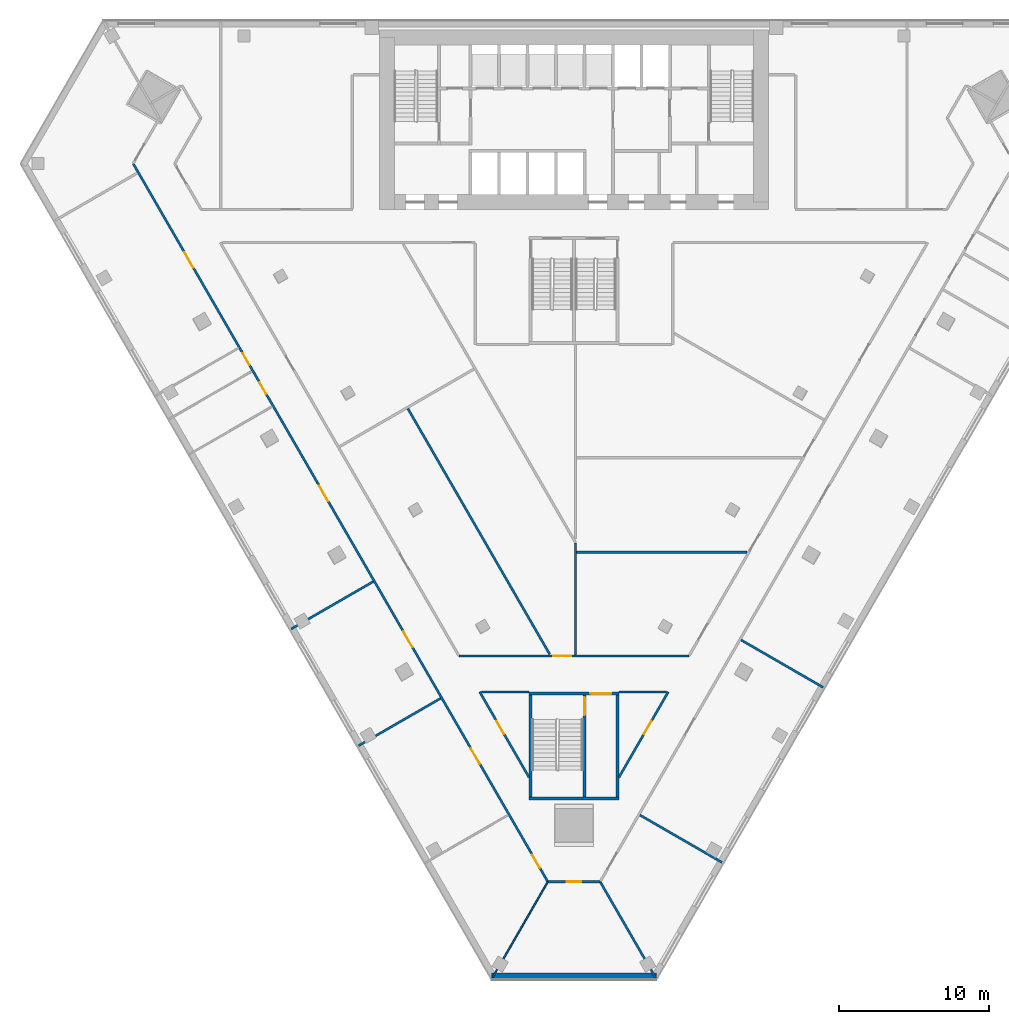
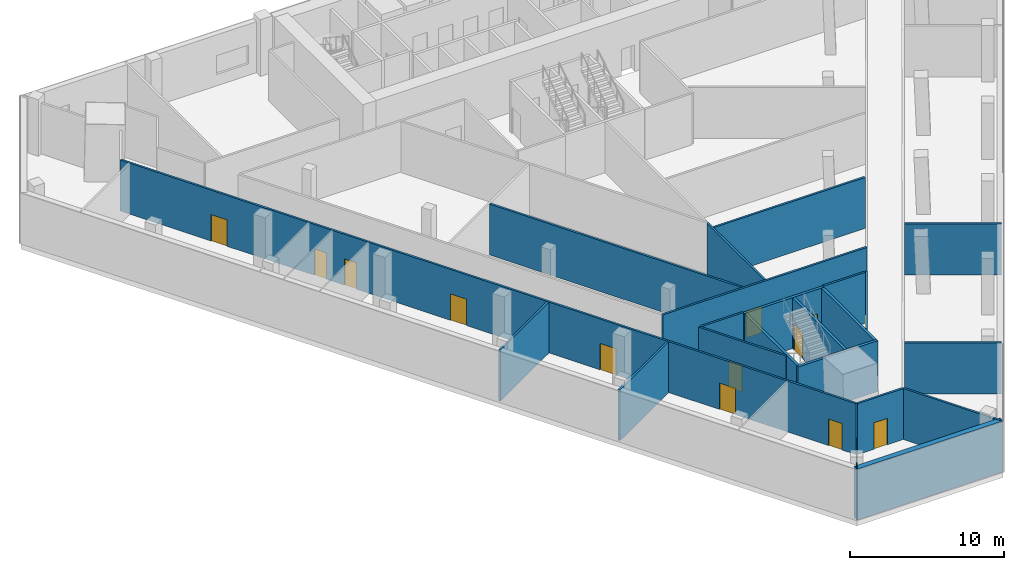
# One storey, part 2 of 9: 22 walls, 13 doors, 13 openings.
"""IFC4 building model written with IfcOpenShell, lengths in metres."""

from ifc_helpers import new_model, si_unit, direction, frame, frame_2d, origin, place, context, subcontext, project, spatial, rectangle, extrude, material, layer, layer_set, type_object, element, fill, save


model = new_model("IFC4")

# Units and contexts
model_context = context("Model", 3, precision=1e-05, world=origin(), true_north=direction((0.0, 1.0)))
body_context = subcontext(model_context, "Body", "Model", "MODEL_VIEW")
ifc_project = project(units=[si_unit("LENGTHUNIT", "METRE"), si_unit("AREAUNIT", "SQUARE_METRE"), si_unit("VOLUMEUNIT", "CUBIC_METRE"), si_unit("PLANEANGLEUNIT", "RADIAN"), si_unit("MASSUNIT", "GRAM", prefix="KILO")], contexts=[model_context])

# Site, building, storey
site_placement = place(None, origin())
site = spatial("IfcSite", under=ifc_project, at=site_placement, CompositionType="ELEMENT")
building_placement = place(site_placement, origin())
building = spatial("IfcBuilding", under=site, at=building_placement, Name="Altiplano Prism Tower", CompositionType="ELEMENT")
storey_placement = place(building_placement, frame((0.0, 0.0, 13.5)))
storey = spatial("IfcBuildingStorey", under=building, at=storey_placement, Name="L02", CompositionType="ELEMENT", Elevation=13.5)

# Wall
ifc_material_1 = material(Name="Plasterboard on steel stud", Category="steel")
ifc_layer_1 = layer(ifc_material_1, 0.10009765625)
ifc_layer_set_1 = layer_set([ifc_layer_1], Name="Plasterboard on steel stud")
wall_type_1 = type_object("IfcWallType", Name="Partition 100 wet", PredefinedType="PARTITIONING", material=ifc_layer_set_1)
wall_1_placement = place(storey_placement, frame((79.557861328125, 41.126220703125, 0.0), z_axis=(0.0, 0.0, 1.0), x_axis=(0.499969342782, 0.866043103014, 0.0)))
element("IfcWall", 1, at=wall_1_placement, inside=storey, type_object=wall_type_1, Name="Partition P03 L02 043", PredefinedType="PARTITIONING", context=body_context, shape_type="SweptSolid", body=[
    extrude(rectangle(XDim=7.39013671875, YDim=0.10009765625, at=frame_2d((3.695068359375, 0.0))), origin(), (0.0, 0.0, 1.0), 4.050048828125),
])

# Wall, openings, doors
ifc_layer_2 = layer(ifc_material_1, 0.14990234375)
ifc_layer_set_2 = layer_set([ifc_layer_2], Name="Plasterboard on steel stud")
wall_type_2 = type_object("IfcWallType", Name="Partition 150 corridor", PredefinedType="PARTITIONING", material=ifc_layer_set_2)
wall_2_placement = place(storey_placement, frame((55.5703125, 95.4736328125, 0.0), z_axis=(0.0, 0.0, 1.0), x_axis=(0.500000085768, -0.866025354266, 0.0)))
wall_2 = element("IfcWall", 2, at=wall_2_placement, inside=storey, type_object=wall_type_2, Name="Partition P06 L02 003", PredefinedType="PARTITIONING", context=body_context, shape_type="SweptSolid", body=[
    extrude(rectangle(XDim=55.36474609375, YDim=0.14990234375, at=frame_2d((27.682373046875, 0.0))), origin(), (0.0, 0.0, 1.0), 4.050048828125),
])
opening_1_placement = place(wall_2_placement, frame((6.83203125, 0.0, 0.0)))
opening_1 = element("IfcOpeningElement", 3, at=opening_1_placement, cuts=wall_2, Name="Opening D0052", PredefinedType="OPENING", context=body_context, shape_type="SweptSolid", body=[
    extrude(rectangle(XDim=1.199951171875, YDim=2.10009765625, at=frame_2d((0.60009765625, 1.050048828125))), frame((0.0, 0.08544921875, 0.0), z_axis=(0.0, -1.0, 0.0), x_axis=(1.0, 0.0, 0.0)), (0.0, 0.0, 1.0), 0.1708984375),
])
opening_2_placement = place(wall_2_placement, frame((14.6259765625, 0.0, 0.0)))
opening_2 = element("IfcOpeningElement", 4, at=opening_2_placement, cuts=wall_2, Name="Opening D0053", PredefinedType="OPENING", context=body_context, shape_type="SweptSolid", body=[
    extrude(rectangle(XDim=0.89990234375, YDim=2.10009765625, at=frame_2d((0.449951171875, 1.050048828125))), frame((0.0, 0.08544921875, 0.0), z_axis=(0.0, -1.0, 0.0), x_axis=(1.0, 0.0, 0.0)), (0.0, 0.0, 1.0), 0.1708984375),
])
opening_3_placement = place(wall_2_placement, frame((16.8759765625, 0.0, 0.0)))
opening_3 = element("IfcOpeningElement", 5, at=opening_3_placement, cuts=wall_2, Name="Opening D0054", PredefinedType="OPENING", context=body_context, shape_type="SweptSolid", body=[
    extrude(rectangle(XDim=0.89990234375, YDim=2.10009765625, at=frame_2d((0.449951171875, 1.050048828125))), frame((0.0, 0.08544921875, 0.0), z_axis=(0.0, -1.0, 0.0), x_axis=(1.0, 0.0, 0.0)), (0.0, 0.0, 1.0), 0.1708984375),
])
opening_4_placement = place(wall_2_placement, frame((24.83203125, 0.0, 0.0)))
opening_4 = element("IfcOpeningElement", 6, at=opening_4_placement, cuts=wall_2, Name="Opening D0055", PredefinedType="OPENING", context=body_context, shape_type="SweptSolid", body=[
    extrude(rectangle(XDim=1.199951171875, YDim=2.10009765625, at=frame_2d((0.60009765625, 1.050048828125))), frame((0.0, 0.08544921875, 0.0), z_axis=(0.0, -1.0, 0.0), x_axis=(1.0, 0.0, 0.0)), (0.0, 0.0, 1.0), 0.1708984375),
])
opening_5_placement = place(wall_2_placement, frame((36.08203125, 0.0, 0.0)))
opening_5 = element("IfcOpeningElement", 7, at=opening_5_placement, cuts=wall_2, Name="Opening D0056", PredefinedType="OPENING", context=body_context, shape_type="SweptSolid", body=[
    extrude(rectangle(XDim=1.199951171875, YDim=2.10009765625, at=frame_2d((0.60009765625, 1.050048828125))), frame((0.0, 0.08544921875, 0.0), z_axis=(0.0, -1.0, 0.0), x_axis=(1.0, 0.0, 0.0)), (0.0, 0.0, 1.0), 0.1708984375),
])
opening_6_placement = place(wall_2_placement, frame((45.08203125, 0.0, 0.0)))
opening_6 = element("IfcOpeningElement", 8, at=opening_6_placement, cuts=wall_2, Name="Opening D0057", PredefinedType="OPENING", context=body_context, shape_type="SweptSolid", body=[
    extrude(rectangle(XDim=1.199951171875, YDim=2.10009765625, at=frame_2d((0.60009765625, 1.050048828125))), frame((0.0, 0.08544921875, 0.0), z_axis=(0.0, -1.0, 0.0), x_axis=(1.0, 0.0, 0.0)), (0.0, 0.0, 1.0), 0.1708984375),
])
opening_7_placement = place(wall_2_placement, frame((53.294921875, 0.0, 0.0)))
opening_7 = element("IfcOpeningElement", 9, at=opening_7_placement, cuts=wall_2, Name="Opening D0058", PredefinedType="OPENING", context=body_context, shape_type="SweptSolid", body=[
    extrude(rectangle(XDim=1.0, YDim=2.10009765625, at=frame_2d((0.5, 1.050048828125))), frame((0.0, 0.08544921875, 0.0), z_axis=(0.0, -1.0, 0.0), x_axis=(1.0, 0.0, 0.0)), (0.0, 0.0, 1.0), 0.1708984375),
])
ifc_material_2 = material(Name="Timber", Category="wood")
door_type_1 = type_object("IfcDoorType", Name="Room door 1000 x 2100", OperationType="NOTDEFINED", PredefinedType="NOTDEFINED", material=ifc_material_2)
door_1_placement = place(opening_7_placement, origin())
door_1 = element("IfcDoor", 10, at=door_1_placement, inside=storey, type_object=door_type_1, Name="Door D0058", OperationType="SINGLE_SWING_RIGHT", OverallHeight=2.10009765625, OverallWidth=1.0, PredefinedType="NOTDEFINED", context=body_context, shape_type="SweptSolid", body=[
    extrude(rectangle(XDim=1.0, YDim=2.10009765625, at=frame_2d((0.5, 1.050048828125))), frame((0.0, 0.02490234375, 0.0), z_axis=(0.0, -1.0, 0.0), x_axis=(1.0, 0.0, 0.0)), (0.0, 0.0, 1.0), 0.050048828125),
])
fill(opening_7, door_1)
door_type_2 = type_object("IfcDoorType", Name="Shared room door 1200 x 2100", OperationType="NOTDEFINED", PredefinedType="NOTDEFINED", material=ifc_material_2)
door_2_placement = place(opening_1_placement, origin())
door_2 = element("IfcDoor", 11, at=door_2_placement, inside=storey, type_object=door_type_2, Name="Door D0052", OperationType="SINGLE_SWING_RIGHT", OverallHeight=2.10009765625, OverallWidth=1.199951171875, PredefinedType="NOTDEFINED", context=body_context, shape_type="SweptSolid", body=[
    extrude(rectangle(XDim=1.199951171875, YDim=2.10009765625, at=frame_2d((0.60009765625, 1.050048828125))), frame((0.0, 0.02490234375, 0.0), z_axis=(0.0, -1.0, 0.0), x_axis=(1.0, 0.0, 0.0)), (0.0, 0.0, 1.0), 0.050048828125),
])
fill(opening_1, door_2)
door_3_placement = place(opening_4_placement, origin())
door_3 = element("IfcDoor", 12, at=door_3_placement, inside=storey, type_object=door_type_2, Name="Door D0055", OperationType="SINGLE_SWING_LEFT", OverallHeight=2.10009765625, OverallWidth=1.199951171875, PredefinedType="NOTDEFINED", context=body_context, shape_type="SweptSolid", body=[
    extrude(rectangle(XDim=1.199951171875, YDim=2.10009765625, at=frame_2d((0.60009765625, 1.050048828125))), frame((0.0, 0.02490234375, 0.0), z_axis=(0.0, -1.0, 0.0), x_axis=(1.0, 0.0, 0.0)), (0.0, 0.0, 1.0), 0.050048828125),
])
fill(opening_4, door_3)
door_4_placement = place(opening_5_placement, origin())
door_4 = element("IfcDoor", 13, at=door_4_placement, inside=storey, type_object=door_type_2, Name="Door D0056", OperationType="SINGLE_SWING_RIGHT", OverallHeight=2.10009765625, OverallWidth=1.199951171875, PredefinedType="NOTDEFINED", context=body_context, shape_type="SweptSolid", body=[
    extrude(rectangle(XDim=1.199951171875, YDim=2.10009765625, at=frame_2d((0.60009765625, 1.050048828125))), frame((0.0, 0.02490234375, 0.0), z_axis=(0.0, -1.0, 0.0), x_axis=(1.0, 0.0, 0.0)), (0.0, 0.0, 1.0), 0.050048828125),
])
fill(opening_5, door_4)
door_5_placement = place(opening_6_placement, origin())
door_5 = element("IfcDoor", 14, at=door_5_placement, inside=storey, type_object=door_type_2, Name="Door D0057", OperationType="SINGLE_SWING_RIGHT", OverallHeight=2.10009765625, OverallWidth=1.199951171875, PredefinedType="NOTDEFINED", context=body_context, shape_type="SweptSolid", body=[
    extrude(rectangle(XDim=1.199951171875, YDim=2.10009765625, at=frame_2d((0.60009765625, 1.050048828125))), frame((0.0, 0.02490234375, 0.0), z_axis=(0.0, -1.0, 0.0), x_axis=(1.0, 0.0, 0.0)), (0.0, 0.0, 1.0), 0.050048828125),
])
fill(opening_6, door_5)
door_type_3 = type_object("IfcDoorType", Name="Toilet door 900 x 2100", OperationType="NOTDEFINED", PredefinedType="NOTDEFINED", material=ifc_material_2)
door_6_placement = place(opening_2_placement, origin())
door_6 = element("IfcDoor", 15, at=door_6_placement, inside=storey, type_object=door_type_3, Name="Door D0053", OperationType="SINGLE_SWING_RIGHT", OverallHeight=2.10009765625, OverallWidth=0.89990234375, PredefinedType="NOTDEFINED", context=body_context, shape_type="SweptSolid", body=[
    extrude(rectangle(XDim=0.89990234375, YDim=2.10009765625, at=frame_2d((0.449951171875, 1.050048828125))), frame((0.0, 0.02490234375, 0.0), z_axis=(0.0, -1.0, 0.0), x_axis=(1.0, 0.0, 0.0)), (0.0, 0.0, 1.0), 0.050048828125),
])
fill(opening_2, door_6)
door_7_placement = place(opening_3_placement, origin())
door_7 = element("IfcDoor", 16, at=door_7_placement, inside=storey, type_object=door_type_3, Name="Door D0054", OperationType="SINGLE_SWING_LEFT", OverallHeight=2.10009765625, OverallWidth=0.89990234375, PredefinedType="NOTDEFINED", context=body_context, shape_type="SweptSolid", body=[
    extrude(rectangle(XDim=0.89990234375, YDim=2.10009765625, at=frame_2d((0.449951171875, 1.050048828125))), frame((0.0, 0.02490234375, 0.0), z_axis=(0.0, -1.0, 0.0), x_axis=(1.0, 0.0, 0.0)), (0.0, 0.0, 1.0), 0.050048828125),
])
fill(opening_3, door_7)

# Wall, opening, door
wall_3_placement = place(storey_placement, frame((83.252685546875, 47.5263671875, 0.0), z_axis=(0.0, 0.0, 1.0), x_axis=(1.0, 0.0, 0.0)))
wall_3 = element("IfcWall", 17, at=wall_3_placement, inside=storey, type_object=wall_type_2, Name="Partition P06 L02 004", PredefinedType="PARTITIONING", context=body_context, shape_type="SweptSolid", body=[
    extrude(rectangle(XDim=3.49462890625, YDim=0.14990234375, at=frame_2d((1.747314453125, 0.0))), origin(), (0.0, 0.0, 1.0), 4.050048828125),
])
opening_8_placement = place(wall_3_placement, frame((1.2470703125, 0.0, 0.0)))
opening_8 = element("IfcOpeningElement", 18, at=opening_8_placement, cuts=wall_3, Name="Opening D0059", PredefinedType="OPENING", context=body_context, shape_type="SweptSolid", body=[
    extrude(rectangle(XDim=1.0, YDim=2.10009765625, at=frame_2d((0.5, 1.050048828125))), frame((0.0, 0.08544921875, 0.0), z_axis=(0.0, -1.0, 0.0), x_axis=(1.0, 0.0, 0.0)), (0.0, 0.0, 1.0), 0.1708984375),
])
door_type_4 = type_object("IfcDoorType", Name="Store door 1000 x 2100", OperationType="NOTDEFINED", PredefinedType="NOTDEFINED", material=ifc_material_2)
door_8_placement = place(opening_8_placement, origin())
door_8 = element("IfcDoor", 19, at=door_8_placement, inside=storey, type_object=door_type_4, Name="Door D0059", OperationType="SINGLE_SWING_RIGHT", OverallHeight=2.10009765625, OverallWidth=1.0, PredefinedType="NOTDEFINED", context=body_context, shape_type="SweptSolid", body=[
    extrude(rectangle(XDim=1.0, YDim=2.10009765625, at=frame_2d((0.5, 1.050048828125))), frame((0.0, 0.02490234375, 0.0), z_axis=(0.0, -1.0, 0.0), x_axis=(1.0, 0.0, 0.0)), (0.0, 0.0, 1.0), 0.050048828125),
])
fill(opening_8, door_8)

wall_4_placement = place(storey_placement, frame((92.6787109375, 62.60009765625, 0.0), z_axis=(0.0, 0.0, 1.0), x_axis=(-1.0, 0.0, 0.0)))
wall_4 = element("IfcWall", 20, at=wall_4_placement, inside=storey, type_object=wall_type_2, Name="Partition P06 L02 019", PredefinedType="PARTITIONING", context=body_context, shape_type="SweptSolid", body=[
    extrude(rectangle(XDim=15.357421875, YDim=0.14990234375, at=frame_2d((7.6787109375, 0.0))), origin(), (0.0, 0.0, 1.0), 4.050048828125),
])
opening_9_placement = place(wall_4_placement, frame((7.865966796875, 0.0, 0.0)))
opening_9 = element("IfcOpeningElement", 21, at=opening_9_placement, cuts=wall_4, Name="Opening D0074", PredefinedType="OPENING", context=body_context, shape_type="SweptSolid", body=[
    extrude(rectangle(XDim=1.199951171875, YDim=2.10009765625, at=frame_2d((0.60009765625, 1.050048828125))), frame((0.0, 0.08544921875, 0.0), z_axis=(0.0, -1.0, 0.0), x_axis=(1.0, 0.0, 0.0)), (0.0, 0.0, 1.0), 0.1708984375),
])
door_9_placement = place(opening_9_placement, origin())
door_9 = element("IfcDoor", 22, at=door_9_placement, inside=storey, type_object=door_type_2, Name="Door D0074", OperationType="SINGLE_SWING_RIGHT", OverallHeight=2.10009765625, OverallWidth=1.199951171875, PredefinedType="NOTDEFINED", context=body_context, shape_type="SweptSolid", body=[
    extrude(rectangle(XDim=1.199951171875, YDim=2.10009765625, at=frame_2d((0.60009765625, 1.050048828125))), frame((0.0, 0.02490234375, 0.0), z_axis=(0.0, -1.0, 0.0), x_axis=(1.0, 0.0, 0.0)), (0.0, 0.0, 1.0), 0.050048828125),
])
fill(opening_9, door_9)

# Wall
wall_5_placement = place(storey_placement, frame((88.0, 60.198974609375, 0.0), z_axis=(0.0, 0.0, 1.0), x_axis=(0.999999952341, 0.00030873725, 0.0)))
element("IfcWall", 23, at=wall_5_placement, inside=storey, type_object=wall_type_2, Name="Partition P06 L02 031", PredefinedType="PARTITIONING", context=body_context, shape_type="SweptSolid", body=[
    extrude(rectangle(XDim=3.1630859375, YDim=0.14990234375, at=frame_2d((1.58154296875, 0.0))), origin(), (0.0, 0.0, 1.0), 4.050048828125),
])

# Wall, opening, door
wall_6_placement = place(storey_placement, frame((91.293212890625, 60.199951171875, 0.0), z_axis=(0.0, 0.0, 1.0), x_axis=(-0.500010165703, -0.866019534533, 0.0)))
wall_6 = element("IfcWall", 24, at=wall_6_placement, inside=storey, type_object=wall_type_2, Name="Partition P06 L02 032", PredefinedType="PARTITIONING", context=body_context, shape_type="SweptSolid", body=[
    extrude(rectangle(XDim=6.586181640625, YDim=0.14990234375, at=frame_2d((3.29296875, 0.0))), origin(), (0.0, 0.0, 1.0), 4.050048828125),
])
opening_10_placement = place(wall_6_placement, frame((2.2451171875, 0.0, 0.0)))
opening_10 = element("IfcOpeningElement", 25, at=opening_10_placement, cuts=wall_6, Name="Opening D0080", PredefinedType="OPENING", context=body_context, shape_type="SweptSolid", body=[
    extrude(rectangle(XDim=1.0, YDim=2.10009765625, at=frame_2d((0.5, 1.050048828125))), frame((0.0, 0.08544921875, 0.0), z_axis=(0.0, -1.0, 0.0), x_axis=(1.0, 0.0, 0.0)), (0.0, 0.0, 1.0), 0.1708984375),
])
door_10_placement = place(opening_10_placement, origin())
door_10 = element("IfcDoor", 26, at=door_10_placement, inside=storey, type_object=door_type_4, Name="Door D0080", OperationType="SINGLE_SWING_LEFT", OverallHeight=2.10009765625, OverallWidth=1.0, PredefinedType="NOTDEFINED", context=body_context, shape_type="SweptSolid", body=[
    extrude(rectangle(XDim=1.0, YDim=2.10009765625, at=frame_2d((0.5, 1.050048828125))), frame((0.0, 0.02490234375, 0.0), z_axis=(0.0, -1.0, 0.0), x_axis=(1.0, 0.0, 0.0)), (0.0, 0.0, 1.0), 0.050048828125),
])
fill(opening_10, door_10)

wall_7_placement = place(storey_placement, frame((82.0, 54.49609375, 0.0), z_axis=(0.0, 0.0, 1.0), x_axis=(-0.500010165703, 0.866019534533, 0.0)))
wall_7 = element("IfcWall", 27, at=wall_7_placement, inside=storey, type_object=wall_type_2, Name="Partition P06 L02 033", PredefinedType="PARTITIONING", context=body_context, shape_type="SweptSolid", body=[
    extrude(rectangle(XDim=6.586181640625, YDim=0.14990234375, at=frame_2d((3.29296875, 0.0))), origin(), (0.0, 0.0, 1.0), 4.050048828125),
])
opening_11_placement = place(wall_7_placement, frame((3.342041015625, 0.0, 0.0)))
opening_11 = element("IfcOpeningElement", 28, at=opening_11_placement, cuts=wall_7, Name="Opening D0081", PredefinedType="OPENING", context=body_context, shape_type="SweptSolid", body=[
    extrude(rectangle(XDim=1.0, YDim=2.10009765625, at=frame_2d((0.5, 1.050048828125))), frame((0.0, 0.08544921875, 0.0), z_axis=(0.0, -1.0, 0.0), x_axis=(1.0, 0.0, 0.0)), (0.0, 0.0, 1.0), 0.1708984375),
])
door_11_placement = place(opening_11_placement, origin())
door_11 = element("IfcDoor", 29, at=door_11_placement, inside=storey, type_object=door_type_1, Name="Door D0081", OperationType="SINGLE_SWING_LEFT", OverallHeight=2.10009765625, OverallWidth=1.0, PredefinedType="NOTDEFINED", context=body_context, shape_type="SweptSolid", body=[
    extrude(rectangle(XDim=1.0, YDim=2.10009765625, at=frame_2d((0.5, 1.050048828125))), frame((0.0, 0.02490234375, 0.0), z_axis=(0.0, -1.0, 0.0), x_axis=(1.0, 0.0, 0.0)), (0.0, 0.0, 1.0), 0.050048828125),
])
fill(opening_11, door_11)

# Walls
wall_8_placement = place(storey_placement, frame((78.8369140625, 60.199951171875, 0.0), z_axis=(0.0, 0.0, 1.0), x_axis=(0.999999952341, -0.00030873725, 0.0)))
element("IfcWall", 30, at=wall_8_placement, inside=storey, type_object=wall_type_2, Name="Partition P06 L02 034", PredefinedType="PARTITIONING", context=body_context, shape_type="SweptSolid", body=[
    extrude(rectangle(XDim=3.1630859375, YDim=0.14990234375, at=frame_2d((1.58154296875, 0.0))), origin(), (0.0, 0.0, 1.0), 4.050048828125),
])
ifc_layer_3 = layer(ifc_material_1, 0.14990234375)
ifc_layer_set_3 = layer_set([ifc_layer_3], Name="Plasterboard on steel stud")
wall_type_3 = type_object("IfcWallType", Name="Partition 150 party", PredefinedType="PARTITIONING", material=ifc_layer_set_3)
for number, where, z_axis, x_axis, name in (
    (31, (66.118896484375, 64.40283203125, 0.0), (0.0, 0.0, 1.0), (0.866025537322, 0.499999768706, 0.0), "Partition P01 L02 040"),
    (32, (70.618896484375, 56.608642578125, 0.0), (0.0, 0.0, 1.0), (0.866025537322, 0.499999768706, 0.0), "Partition P01 L02 041"),
):
    element("IfcWall", number, at=place(storey_placement, frame(where, z_axis=z_axis, x_axis=x_axis)), inside=storey, type_object=wall_type_3, Name=name, PredefinedType="PARTITIONING", context=body_context, shape_type="SweptSolid", body=[
        extrude(rectangle(XDim=6.3251953125, YDim=0.14990234375, at=frame_2d((3.16259765625, 0.0))), origin(), (0.0, 0.0, 1.0), 4.050048828125),
    ])
wall_9_placement = place(storey_placement, frame((90.4423828125, 41.126220703125, 0.0), z_axis=(0.0, 0.0, 1.0), x_axis=(-0.499994120305, 0.866028798401, 0.0)))
element("IfcWall", 33, at=wall_9_placement, inside=storey, type_object=wall_type_3, Name="Partition P01 L02 044", PredefinedType="PARTITIONING", context=body_context, shape_type="SweptSolid", body=[
    extrude(rectangle(XDim=7.39013671875, YDim=0.14990234375, at=frame_2d((3.695068359375, 0.0))), origin(), (0.0, 0.0, 1.0), 4.050048828125),
])
for number, where, z_axis, x_axis, name in (
    (34, (94.881103515625, 48.814453125, 0.0), (0.0, 0.0, 1.0), (-0.866042250622, 0.499970819286, 0.0), "Partition P01 L02 045"),
    (35, (101.631103515625, 60.505859375, 0.0), (0.0, 0.0, 1.0), (-0.866042250622, 0.499970819286, 0.0), "Partition P01 L02 046"),
):
    element("IfcWall", number, at=place(storey_placement, frame(where, z_axis=z_axis, x_axis=x_axis)), inside=storey, type_object=wall_type_3, Name=name, PredefinedType="PARTITIONING", context=body_context, shape_type="SweptSolid", body=[
        extrude(rectangle(XDim=6.3251953125, YDim=0.14990234375, at=frame_2d((3.16259765625, 0.0))), origin(), (0.0, 0.0, 1.0), 4.050048828125),
    ])
wall_10_placement = place(storey_placement, frame((83.379150390625, 62.71240234375, 0.0), z_axis=(0.0, 0.0, 1.0), x_axis=(-0.500003188093, 0.86602356313, 0.0)))
element("IfcWall", 36, at=wall_10_placement, inside=storey, type_object=wall_type_3, Name="Partition P01 L02 059", PredefinedType="PARTITIONING", context=body_context, shape_type="SweptSolid", body=[
    extrude(rectangle(XDim=18.9453125, YDim=0.14990234375, at=frame_2d((9.47265625, 0.0))), origin(), (0.0, 0.0, 1.0), 4.050048828125),
])
wall_11_placement = place(storey_placement, frame((85.095947265625, 62.675048828125, 0.0), z_axis=(0.0, 0.0, 1.0), x_axis=(0.0, 1.0, 0.0)))
element("IfcWall", 37, at=wall_11_placement, inside=storey, type_object=wall_type_3, Name="Partition P01 L02 061", PredefinedType="PARTITIONING", context=body_context, shape_type="SweptSolid", body=[
    extrude(rectangle(XDim=7.462646484375, YDim=0.14990234375, at=frame_2d((3.7314453125, 0.0))), origin(), (0.0, 0.0, 1.0), 4.050048828125),
])
wall_12_placement = place(storey_placement, frame((85.1708984375, 69.5322265625, 0.0), z_axis=(0.0, 0.0, 1.0), x_axis=(1.0, 0.0, 0.0)))
element("IfcWall", 38, at=wall_12_placement, inside=storey, type_object=wall_type_3, Name="Partition P01 L02 062", PredefinedType="PARTITIONING", context=body_context, shape_type="SweptSolid", body=[
    extrude(rectangle(XDim=11.380126953125, YDim=0.14990234375, at=frame_2d((5.68994140625, 0.0))), origin(), (0.0, 0.0, 1.0), 4.050048828125),
])

# Wall, opening, door
ifc_material_3 = material(Name="Concrete C60/75", Category="concrete")
ifc_layer_4 = layer(ifc_material_3, 0.199951171875)
ifc_layer_set_4 = layer_set([ifc_layer_4], Name="Concrete C60/75")
wall_type_4 = type_object("IfcWallType", Name="Stair wall 200", PredefinedType="SOLIDWALL", material=ifc_layer_set_4)
wall_13_placement = place(storey_placement, frame((82.0, 60.10009765625, 0.0), z_axis=(0.0, 0.0, 1.0), x_axis=(1.0, 0.0, 0.0)))
wall_13 = element("IfcWall", 39, at=wall_13_placement, inside=storey, type_object=wall_type_4, Name="Stair 4 wall north L02", PredefinedType="SOLIDWALL", context=body_context, shape_type="SweptSolid", body=[
    extrude(rectangle(XDim=6.0, YDim=0.199951171875, at=frame_2d((3.0, 0.0))), origin(), (0.0, 0.0, 1.0), 4.050048828125),
])
opening_12_placement = place(wall_13_placement, frame((4.10009765625, 0.0, 0.0)))
opening_12 = element("IfcOpeningElement", 40, at=opening_12_placement, cuts=wall_13, Name="Opening D4071", PredefinedType="OPENING", context=body_context, shape_type="SweptSolid", body=[
    extrude(rectangle(XDim=1.39990234375, YDim=2.10009765625, at=frame_2d((0.699951171875, 1.050048828125))), frame((0.0, 0.1103515625, 0.0), z_axis=(0.0, -1.0, 0.0), x_axis=(1.0, 0.0, 0.0)), (0.0, 0.0, 1.0), 0.220947265625),
])
ifc_material_4 = material(Name="Fire-rated steel door", Category="steel")
door_type_5 = type_object("IfcDoorType", Name="Stair fire door 1400 x 2100", OperationType="NOTDEFINED", PredefinedType="NOTDEFINED", material=ifc_material_4)
door_12_placement = place(opening_12_placement, origin())
door_12 = element("IfcDoor", 41, at=door_12_placement, inside=storey, type_object=door_type_5, Name="Stair fire door D4071", OperationType="SINGLE_SWING_LEFT", OverallHeight=2.10009765625, OverallWidth=1.39990234375, PredefinedType="NOTDEFINED", context=body_context, shape_type="SweptSolid", body=[
    extrude(rectangle(XDim=1.39990234375, YDim=2.10009765625, at=frame_2d((0.699951171875, 1.050048828125))), frame((0.0, 0.02490234375, 0.0), z_axis=(0.0, -1.0, 0.0), x_axis=(1.0, 0.0, 0.0)), (0.0, 0.0, 1.0), 0.050048828125),
])
fill(opening_12, door_12)

# Walls
wall_14_placement = place(storey_placement, frame((82.0, 53.10009765625, 0.0), z_axis=(0.0, 0.0, 1.0), x_axis=(1.0, 0.0, 0.0)))
element("IfcWall", 42, at=wall_14_placement, inside=storey, type_object=wall_type_4, Name="Stair 4 wall south L02", PredefinedType="SOLIDWALL", context=body_context, shape_type="SweptSolid", body=[
    extrude(rectangle(XDim=6.0, YDim=0.199951171875, at=frame_2d((3.0, 0.0))), origin(), (0.0, 0.0, 1.0), 4.050048828125),
])
for number, where, z_axis, x_axis, name in (
    (43, (82.10009765625, 53.199951171875, 0.0), (0.0, 0.0, 1.0), (0.0, 1.0, 0.0), "Stair 4 wall west L02"),
    (44, (87.89990234375, 53.199951171875, 0.0), (0.0, 0.0, 1.0), (0.0, 1.0, 0.0), "Stair 4 wall east L02"),
):
    element("IfcWall", number, at=place(storey_placement, frame(where, z_axis=z_axis, x_axis=x_axis)), inside=storey, type_object=wall_type_4, Name=name, PredefinedType="SOLIDWALL", context=body_context, shape_type="SweptSolid", body=[
        extrude(rectangle(XDim=6.800048828125, YDim=0.199951171875, at=frame_2d((3.39990234375, 0.0))), origin(), (0.0, 0.0, 1.0), 4.050048828125),
    ])

# Wall, opening, door
wall_15_placement = place(storey_placement, frame((85.699951171875, 53.199951171875, 0.0), z_axis=(0.0, 0.0, 1.0), x_axis=(0.0, 1.0, 0.0)))
wall_15 = element("IfcWall", 45, at=wall_15_placement, inside=storey, type_object=wall_type_4, Name="Stair 4 wall divider L02", PredefinedType="SOLIDWALL", context=body_context, shape_type="SweptSolid", body=[
    extrude(rectangle(XDim=6.800048828125, YDim=0.199951171875, at=frame_2d((3.39990234375, 0.0))), origin(), (0.0, 0.0, 1.0), 4.050048828125),
])
opening_13_placement = place(wall_15_placement, frame((5.449951171875, 0.0, 0.0)))
opening_13 = element("IfcOpeningElement", 46, at=opening_13_placement, cuts=wall_15, Name="Opening D4072", PredefinedType="OPENING", context=body_context, shape_type="SweptSolid", body=[
    extrude(rectangle(XDim=1.199951171875, YDim=2.10009765625, at=frame_2d((0.60009765625, 1.050048828125))), frame((0.0, 0.1103515625, 0.0), z_axis=(0.0, -1.0, 0.0), x_axis=(1.0, 0.0, 0.0)), (0.0, 0.0, 1.0), 0.220947265625),
])
door_type_6 = type_object("IfcDoorType", Name="Stair fire door 1200 x 2100", OperationType="NOTDEFINED", PredefinedType="NOTDEFINED", material=ifc_material_4)
door_13_placement = place(opening_13_placement, frame((1.199951171875, 0.0, 0.0), z_axis=(0.0, 0.0, 1.0), x_axis=(-1.0, 0.0, 0.0)))
door_13 = element("IfcDoor", 47, at=door_13_placement, inside=storey, type_object=door_type_6, Name="Stair fire door D4072", OperationType="SINGLE_SWING_LEFT", OverallHeight=2.10009765625, OverallWidth=1.199951171875, PredefinedType="NOTDEFINED", context=body_context, shape_type="SweptSolid", body=[
    extrude(rectangle(XDim=1.199951171875, YDim=2.10009765625, at=frame_2d((0.60009765625, 1.050048828125))), frame((0.0, 0.02490234375, 0.0), z_axis=(0.0, -1.0, 0.0), x_axis=(1.0, 0.0, 0.0)), (0.0, 0.0, 1.0), 0.050048828125),
])
fill(opening_13, door_13)

# Wall
ifc_material_5 = material(Name="Concrete C40", Category="concrete")
ifc_layer_5 = layer(ifc_material_5, 0.39990234375)
ifc_layer_set_5 = layer_set([ifc_layer_5], Name="Concrete C40")
wall_type_5 = type_object("IfcWallType", Name="Stone-clad podium wall 400", PredefinedType="SOLIDWALL", material=ifc_layer_set_5)
wall_16_placement = place(storey_placement, frame((90.5, 41.226318359375, 0.0), z_axis=(0.0, 0.0, 1.0), x_axis=(-1.0, 0.0, 0.0)))
element("IfcWall", 48, at=wall_16_placement, inside=storey, type_object=wall_type_5, Name="External wall south chamfer L02", PredefinedType="SOLIDWALL", context=body_context, shape_type="SweptSolid", body=[
    extrude(rectangle(XDim=11.0, YDim=0.39990234375, at=frame_2d((5.5, 0.0))), origin(), (0.0, 0.0, 1.0), 4.050048828125),
])

save(model, "model.ifc")
